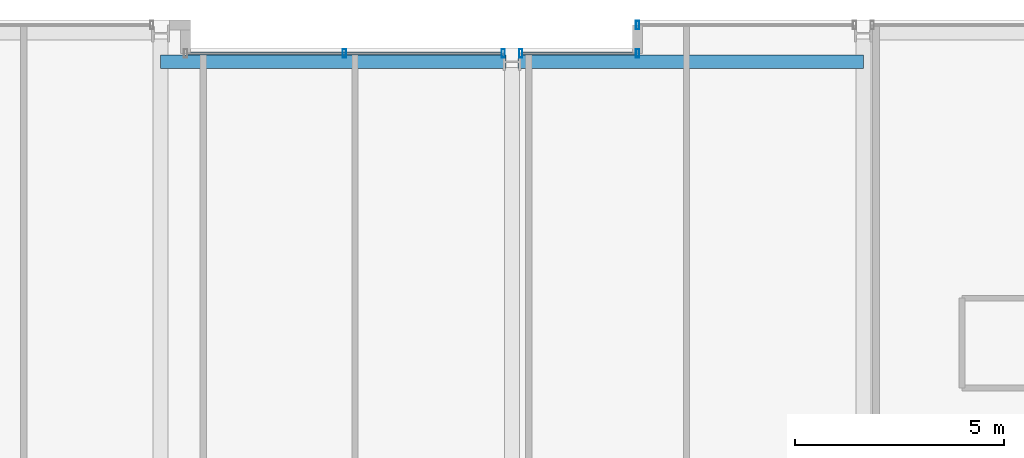
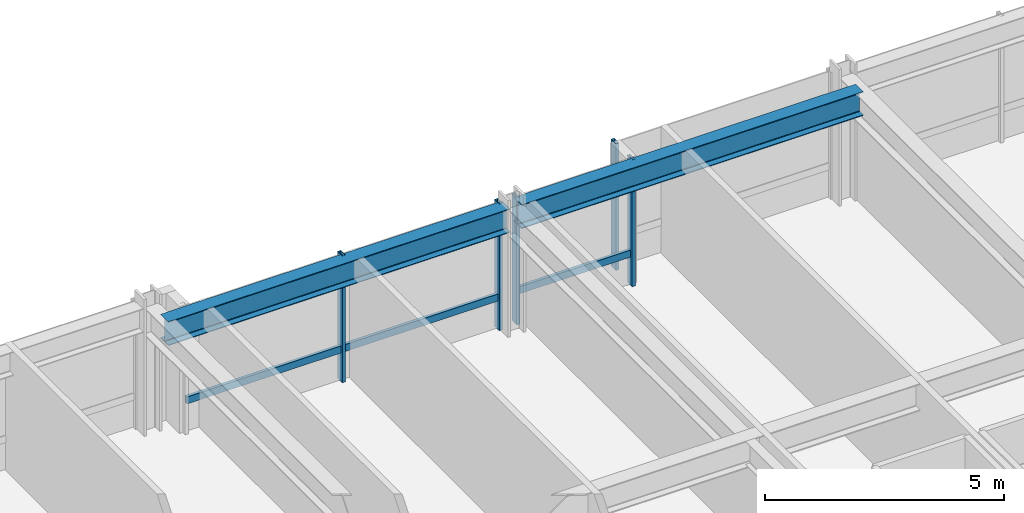
# One storey, part 22 of 34: 7 members, 2 beams, 3 elements without a shape of their own.
"""IFC4 building model written with IfcOpenShell, lengths in metres."""

from ifc_helpers import new_model, si_unit, direction, frame, origin, origin_2d, place, context, subcontext, project, spatial, hollow_rectangle, i_section, extrude, material, layer, layer_set, material_profile, profile_set, type_object, element, aggregate, save


model = new_model("IFC4")

# Units and contexts
model_context = context("Model", 3, precision=1e-05, world=origin(), true_north=direction((0.0, 1.0)))
body_context = subcontext(model_context, "Body", "Model", "MODEL_VIEW")
ifc_project = project(units=[si_unit("LENGTHUNIT", "METRE"), si_unit("AREAUNIT", "SQUARE_METRE"), si_unit("VOLUMEUNIT", "CUBIC_METRE"), si_unit("PLANEANGLEUNIT", "RADIAN"), si_unit("MASSUNIT", "GRAM", prefix="KILO")], contexts=[model_context])

# Site, building, storey
site_placement = place(None, origin())
site = spatial("IfcSite", under=ifc_project, at=site_placement, CompositionType="ELEMENT")
building_placement = place(site_placement, origin())
building = spatial("IfcBuilding", under=site, at=building_placement, Name="Drelvath Grand Hotel", CompositionType="ELEMENT")
storey_placement = place(building_placement, frame((0.0, 0.0, 133.800048828125)))
storey = spatial("IfcBuildingStorey", under=building, at=storey_placement, Name="L34", CompositionType="ELEMENT", Elevation=133.800048828125)

# Curtain wall, member
ifc_material_1 = material(Name="Champagne Bronze Anodised Aluminium Frame", Category="aluminium")
ifc_layer = layer(ifc_material_1, 0.199951171875)
ifc_layer_set = layer_set([ifc_layer], Name="Champagne Bronze Anodised Aluminium Frame")
curtain_wall_type = type_object("IfcCurtainWallType", Name="Stick Curtain Wall CW-03 Champagne Bronze Mid-Rise", PredefinedType="NOTDEFINED", material=ifc_layer_set)
curtain_wall_1_placement = place(storey_placement, origin())
curtain_wall_1 = element("IfcCurtainWall", 1, at=curtain_wall_1_placement, inside=storey, type_object=curtain_wall_type, Name="L34 CW-03 Curtain Wall CW03-L34-NM1", PredefinedType="NOTDEFINED")
ifc_material_profile_1 = material_profile(ifc_material_1, hollow_rectangle(XDim=0.074951171875, YDim=0.179931640625, WallThickness=0.0048828125, at=origin_2d()), Name="HSS180X75X5")
ifc_profile_set_1 = profile_set([ifc_material_profile_1], Name="Champagne Bronze Anodised Aluminium Frame")
member_type_1 = type_object("IfcMemberType", Name="Curtain Wall Horizontal Transom CW-03 HSS180X75X5", PredefinedType="USERDEFINED", material=ifc_profile_set_1)
member_1_placement = place(storey_placement, frame((-7.760009765625, 53.199951171875, 0.81005859375), z_axis=(1.0, 0.0, 0.0), x_axis=(0.0, 1.0, 0.0)))
member_1 = element("IfcMember", 2, at=member_1_placement, type_object=member_type_1, Name="CW03-L34-NM1 Sill Transom", ObjectType="TRANSOM", PredefinedType="USERDEFINED", context=body_context, shape_type="SweptSolid", body=[
    extrude(hollow_rectangle(XDim=0.074951171875, YDim=0.179931640625, WallThickness=0.0048828125, at=origin_2d()), origin(), (0.0, 0.0, 1.0), 7.510498046875),
])

curtain_wall_2_placement = place(storey_placement, origin())
curtain_wall_2 = element("IfcCurtainWall", 3, at=curtain_wall_2_placement, inside=storey, type_object=curtain_wall_type, Name="L34 CW-03 Curtain Wall CW03-L34-NM2", PredefinedType="NOTDEFINED")
member_2_placement = place(storey_placement, frame((0.24951171875, 53.199951171875, 0.81005859375), z_axis=(1.0, 0.0, 0.0), x_axis=(0.0, 1.0, 0.0)))
member_2 = element("IfcMember", 4, at=member_2_placement, type_object=member_type_1, Name="CW03-L34-NM2 Sill Transom", ObjectType="TRANSOM", PredefinedType="USERDEFINED", context=body_context, shape_type="SweptSolid", body=[
    extrude(hollow_rectangle(XDim=0.074951171875, YDim=0.179931640625, WallThickness=0.0048828125, at=origin_2d()), origin(), (0.0, 0.0, 1.0), 2.71044921875),
])

# Member
ifc_material_profile_2 = material_profile(ifc_material_1, hollow_rectangle(XDim=0.080078125, YDim=0.199951171875, WallThickness=0.0048828125, at=origin_2d()), Name="HSS200X80X5")
ifc_profile_set_2 = profile_set([ifc_material_profile_2], Name="Champagne Bronze Anodised Aluminium Frame")
member_type_2 = type_object("IfcMemberType", Name="Curtain Wall Vertical Mullion CW-03 HSS200X80X5", PredefinedType="MULLION", material=ifc_profile_set_2)
member_3_placement = place(storey_placement, frame((-4.004638671875, 53.199951171875, 0.0), z_axis=(0.0, 0.0, 1.0), x_axis=(1.0, 0.0, 0.0)))
member_3 = element("IfcMember", 5, at=member_3_placement, type_object=member_type_2, Name="CW03-L34-NM1 Mullion 2", PredefinedType="MULLION", context=body_context, shape_type="SweptSolid", body=[
    extrude(hollow_rectangle(XDim=0.080078125, YDim=0.199951171875, WallThickness=0.0048828125, at=origin_2d()), origin(), (0.0, 0.0, 1.0), 3.239990234375),
])

member_4_placement = place(storey_placement, frame((-0.20947265625, 53.199951171875, 0.0), z_axis=(0.0, 0.0, 1.0), x_axis=(1.0, 0.0, 0.0)))
member_4 = element("IfcMember", 6, at=member_4_placement, type_object=member_type_2, Name="CW03-L34-NM1 Mullion 3", PredefinedType="MULLION", context=body_context, shape_type="SweptSolid", body=[
    extrude(hollow_rectangle(XDim=0.080078125, YDim=0.199951171875, WallThickness=0.0048828125, at=origin_2d()), origin(), (0.0, 0.0, 1.0), 3.239990234375),
])

aggregate(curtain_wall_1, [member_3, member_4, member_1])

member_5_placement = place(storey_placement, frame((0.20947265625, 53.199951171875, 0.0), z_axis=(0.0, 0.0, 1.0), x_axis=(1.0, 0.0, 0.0)))
member_5 = element("IfcMember", 7, at=member_5_placement, type_object=member_type_2, Name="CW03-L34-NM2 Mullion 1", PredefinedType="MULLION", context=body_context, shape_type="SweptSolid", body=[
    extrude(hollow_rectangle(XDim=0.080078125, YDim=0.199951171875, WallThickness=0.0048828125, at=origin_2d()), origin(), (0.0, 0.0, 1.0), 3.239990234375),
])

member_6_placement = place(storey_placement, frame((3.0, 53.199951171875, 0.0), z_axis=(0.0, 0.0, 1.0), x_axis=(1.0, 0.0, 0.0)))
member_6 = element("IfcMember", 8, at=member_6_placement, type_object=member_type_2, Name="CW03-L34-NM2 Mullion 2", PredefinedType="MULLION", context=body_context, shape_type="SweptSolid", body=[
    extrude(hollow_rectangle(XDim=0.080078125, YDim=0.199951171875, WallThickness=0.0048828125, at=origin_2d()), origin(), (0.0, 0.0, 1.0), 3.239990234375),
])

aggregate(curtain_wall_2, [member_5, member_6, member_2])

# Curtain wall, member
curtain_wall_3_placement = place(storey_placement, origin())
curtain_wall_3 = element("IfcCurtainWall", 9, at=curtain_wall_3_placement, inside=storey, type_object=curtain_wall_type, Name="L34 CW-03 Curtain Wall CW03-L34-NE1", PredefinedType="NOTDEFINED")
member_7_placement = place(storey_placement, frame((3.0, 53.8798828125, 0.0), z_axis=(0.0, 0.0, 1.0), x_axis=(1.0, 0.0, 0.0)))
member_7 = element("IfcMember", 10, at=member_7_placement, type_object=member_type_2, Name="CW03-L34-NE1 Mullion 1", PredefinedType="MULLION", context=body_context, shape_type="SweptSolid", body=[
    extrude(hollow_rectangle(XDim=0.080078125, YDim=0.199951171875, WallThickness=0.0048828125, at=origin_2d()), origin(), (0.0, 0.0, 1.0), 3.239990234375),
])
aggregate(curtain_wall_3, [member_7])

# Beams
ifc_material_2 = material(Name="Steel ASTM A992 Gr 50", Category="steel")
ifc_material_profile_3 = material_profile(ifc_material_2, i_section(OverallWidth=0.323974609375, OverallDepth=0.611083984375, WebThickness=0.0126953125, FlangeThickness=0.01904296875, FilletRadius=0.02197265625, at=origin_2d()), Name="W24X104")
ifc_profile_set_3 = profile_set([ifc_material_profile_3], Name="Steel ASTM A992 Gr 50")
beam_type = type_object("IfcBeamType", Name="Perimeter Spandrel Beam W24X104", PredefinedType="SPANDREL", material=ifc_profile_set_3)
for number, where, z_axis, x_axis, name in (
    (11, (-8.39990234375, 53.0, 2.934326171875), (1.0, 0.0, 0.0), (0.0, 1.0, 0.0), "L34 Spandrel North Mid W"),
    (12, (0.139892578125, 53.0, 2.934326171875), (1.0, 0.0, 0.0), (0.0, 1.0, 0.0), "L34 Spandrel North Mid E"),
):
    element("IfcBeam", number, at=place(storey_placement, frame(where, z_axis=z_axis, x_axis=x_axis)), inside=storey, type_object=beam_type, Name=name, PredefinedType="SPANDREL", context=body_context, shape_type="SweptSolid", body=[
        extrude(i_section(OverallWidth=0.323974609375, OverallDepth=0.611083984375, WebThickness=0.0126953125, FlangeThickness=0.01904296875, FilletRadius=0.02197265625, at=origin_2d()), origin(), (0.0, 0.0, 1.0), 8.260009765625),
    ])

save(model, "model.ifc")
